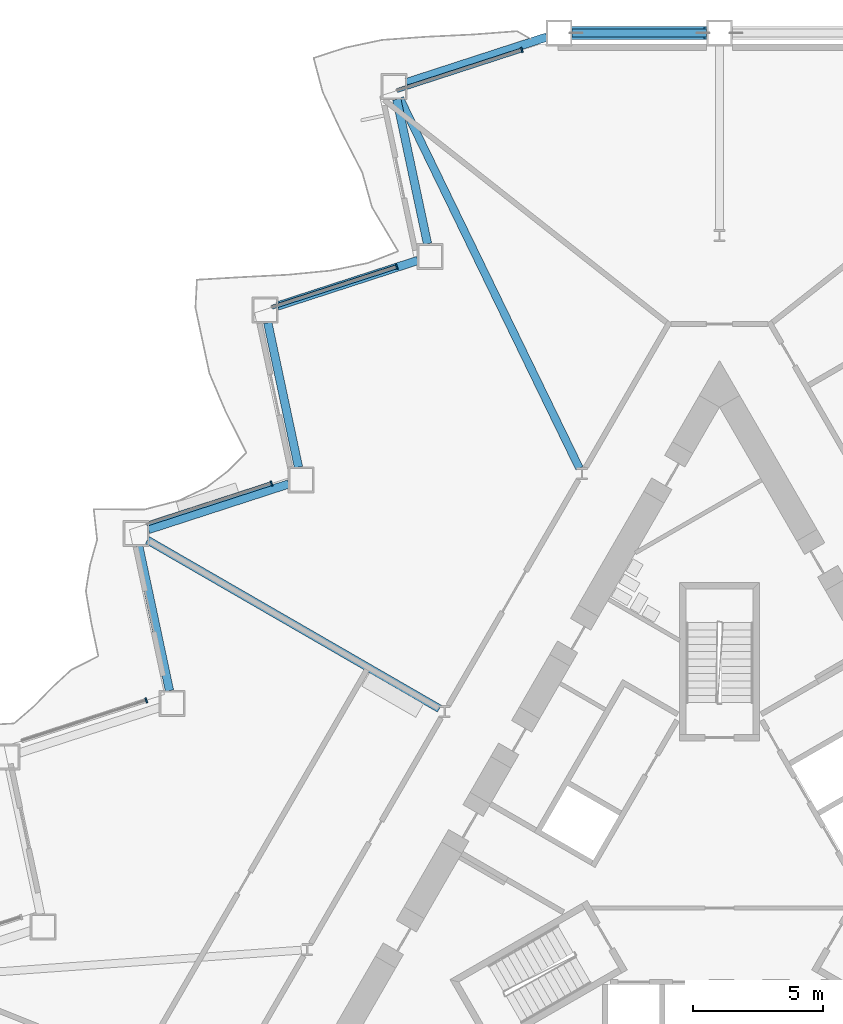
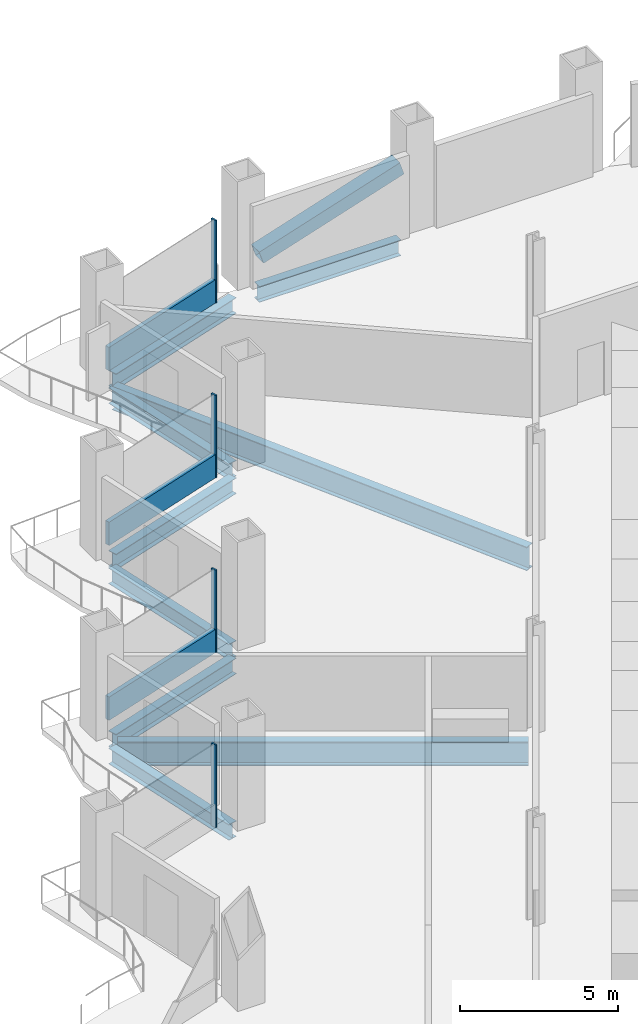
# One storey, part 6 of 20: 9 beams, 8 members, 4 elements without a shape of their own.
"""IFC4 building model written with IfcOpenShell, lengths in metres."""

from ifc_helpers import new_model, si_unit, direction, frame, origin, origin_2d, place, context, subcontext, project, spatial, rectangle, hollow_rectangle, i_section, extrude, material, layer, layer_set, material_profile, profile_set, type_object, element, aggregate, save


model = new_model("IFC4")

# Units and contexts
model_context = context("Model", 3, precision=1e-05, world=origin(), true_north=direction((0.0, 1.0)))
body_context = subcontext(model_context, "Body", "Model", "MODEL_VIEW")
ifc_project = project(units=[si_unit("LENGTHUNIT", "METRE"), si_unit("AREAUNIT", "SQUARE_METRE"), si_unit("VOLUMEUNIT", "CUBIC_METRE"), si_unit("PLANEANGLEUNIT", "RADIAN"), si_unit("MASSUNIT", "GRAM", prefix="KILO")], contexts=[model_context])

# Site, building, storey
site_placement = place(None, origin())
site = spatial("IfcSite", under=ifc_project, at=site_placement, CompositionType="ELEMENT")
building_placement = place(site_placement, origin())
building = spatial("IfcBuilding", under=site, at=building_placement, Name="Cormorant Prow Tower", CompositionType="ELEMENT")
storey_placement = place(building_placement, frame((0.0, 0.0, 38.39990234375)))
storey = spatial("IfcBuildingStorey", under=building, at=storey_placement, Name="L07", CompositionType="ELEMENT", Elevation=38.39990234375)

# Member
ifc_material_1 = material(Name="Structural steel ASTM A500 Gr C", Category="steel")
ifc_material_profile_1 = material_profile(ifc_material_1, hollow_rectangle(XDim=0.508056640625, YDim=0.508056640625, WallThickness=0.014892578125, at=origin_2d()), Name="HSS20x20x5/8")
ifc_profile_set_1 = profile_set([ifc_material_profile_1], Name="Structural steel ASTM A500 Gr C")
member_type_1 = type_object("IfcMemberType", Name="Chamfer brace HSS20x20x5/8", PredefinedType="BRACE", material=ifc_profile_set_1)
member_1_placement = place(storey_placement, frame((-5.65087890625, 32.233642578125, 0.767333984375), z_axis=(0.951761092368, 0.0, 0.306840061033), x_axis=(0.0, 1.0, 0.0)))
element("IfcMember", 1, at=member_1_placement, inside=storey, type_object=member_type_1, Name="Chamfer brace BR1 at N01 L07", PredefinedType="BRACE", context=body_context, shape_type="SweptSolid", body=[
    extrude(hollow_rectangle(XDim=0.508056640625, YDim=0.508056640625, WallThickness=0.014892578125, at=origin_2d()), origin(), (0.0, 0.0, 1.0), 5.39208984375),
])

# Curtain wall, member
ifc_material_2 = material(Name="Aluminium 6063-T6", Category="aluminium")
ifc_layer = layer(ifc_material_2, 0.199951171875)
ifc_layer_set = layer_set([ifc_layer], Name="Aluminium 6063-T6")
curtain_wall_type = type_object("IfcCurtainWallType", Name="Office unitised curtain wall 200", PredefinedType="NOTDEFINED", material=ifc_layer_set)
curtain_wall_1_placement = place(storey_placement, origin())
curtain_wall_1 = element("IfcCurtainWall", 2, at=curtain_wall_1_placement, inside=storey, type_object=curtain_wall_type, Name="Office curtain wall WNW00", PredefinedType="NOTDEFINED")
ifc_material_3 = material(Name="Aluminium 6063-T6", Category="aluminium")
ifc_material_profile_2 = material_profile(ifc_material_3, rectangle(XDim=0.199951171875, YDim=0.06005859375, at=origin_2d()), Name="Office mullion 60x200")
ifc_profile_set_2 = profile_set([ifc_material_profile_2], Name="Aluminium 6063-T6")
member_type_2 = type_object("IfcMemberType", Name="Office mullion 60x200", PredefinedType="MULLION", material=ifc_profile_set_2)
member_2_placement = place(storey_placement, frame((-7.609375, 31.578369140625, 0.0), z_axis=(0.0, 0.0, 1.0), x_axis=(0.30901688663, -0.951056551303, 0.0)))
member_2 = element("IfcMember", 3, at=member_2_placement, type_object=member_type_2, Name="Office mullion WNW00", PredefinedType="MULLION", context=body_context, shape_type="SweptSolid", body=[
    extrude(rectangle(XDim=0.199951171875, YDim=0.06005859375, at=origin_2d()), origin(), (0.0, 0.0, 1.0), 3.18896484375),
])

curtain_wall_2_placement = place(storey_placement, origin())
curtain_wall_2 = element("IfcCurtainWall", 4, at=curtain_wall_2_placement, inside=storey, type_object=curtain_wall_type, Name="Office curtain wall WNW02", PredefinedType="NOTDEFINED")
member_3_placement = place(storey_placement, frame((-12.427001953125, 23.234130859375, 0.0), z_axis=(0.0, 0.0, 1.0), x_axis=(0.309017026162, -0.951056505967, 0.0)))
member_3 = element("IfcMember", 5, at=member_3_placement, type_object=member_type_2, Name="Office mullion WNW02", PredefinedType="MULLION", context=body_context, shape_type="SweptSolid", body=[
    extrude(rectangle(XDim=0.199951171875, YDim=0.06005859375, at=origin_2d()), origin(), (0.0, 0.0, 1.0), 3.18896484375),
])

curtain_wall_3_placement = place(storey_placement, origin())
curtain_wall_3 = element("IfcCurtainWall", 6, at=curtain_wall_3_placement, inside=storey, type_object=curtain_wall_type, Name="Office curtain wall WNW04", PredefinedType="NOTDEFINED")
member_4_placement = place(storey_placement, frame((-17.244384765625, 14.889892578125, 0.0), z_axis=(0.0, 0.0, 1.0), x_axis=(0.309017026162, -0.951056505967, 0.0)))
member_4 = element("IfcMember", 7, at=member_4_placement, type_object=member_type_2, Name="Office mullion WNW04", PredefinedType="MULLION", context=body_context, shape_type="SweptSolid", body=[
    extrude(rectangle(XDim=0.199951171875, YDim=0.06005859375, at=origin_2d()), origin(), (0.0, 0.0, 1.0), 3.18896484375),
])

curtain_wall_4_placement = place(storey_placement, origin())
curtain_wall_4 = element("IfcCurtainWall", 8, at=curtain_wall_4_placement, inside=storey, type_object=curtain_wall_type, Name="Office curtain wall WNW06", PredefinedType="NOTDEFINED")
member_5_placement = place(storey_placement, frame((-22.06201171875, 6.545654296875, 0.0), z_axis=(0.0, 0.0, 1.0), x_axis=(0.309016931979, -0.951056536569, 0.0)))
member_5 = element("IfcMember", 9, at=member_5_placement, type_object=member_type_2, Name="Office mullion WNW06", PredefinedType="MULLION", context=body_context, shape_type="SweptSolid", body=[
    extrude(rectangle(XDim=0.199951171875, YDim=0.06005859375, at=origin_2d()), origin(), (0.0, 0.0, 1.0), 3.18896484375),
])
aggregate(curtain_wall_4, [member_5])

# Member
ifc_material_4 = material(Name="Terracotta", Category="masonry")
ifc_material_profile_3 = material_profile(ifc_material_4, rectangle(XDim=0.159912109375, YDim=0.89990234375, at=origin_2d()), Name="Office terracotta spandrel rail 160x900")
ifc_profile_set_3 = profile_set([ifc_material_profile_3], Name="Terracotta")
member_type_3 = type_object("IfcMemberType", Name="Office terracotta spandrel rail 160x900", PredefinedType="USERDEFINED", material=ifc_profile_set_3)
member_6_placement = place(storey_placement, frame((-7.637939453125, 31.569091796875, 0.4501953125), z_axis=(-0.951064821809, -0.308991431464, 0.0), x_axis=(0.308991431464, -0.951064821809, 0.0)))
member_6 = element("IfcMember", 10, at=member_6_placement, type_object=member_type_3, Name="Office spandrel rail WNW00", ObjectType="TRANSOM", PredefinedType="USERDEFINED", context=body_context, shape_type="SweptSolid", body=[
    extrude(rectangle(XDim=0.159912109375, YDim=0.89990234375, at=origin_2d()), origin(), (0.0, 0.0, 1.0), 5.016357421875),
])

aggregate(curtain_wall_1, [member_2, member_6])

member_7_placement = place(storey_placement, frame((-12.455322265625, 23.224853515625, 0.4501953125), z_axis=(-0.951055166493, -0.309021148607, 0.0), x_axis=(0.309021148607, -0.951055166493, 0.0)))
member_7 = element("IfcMember", 11, at=member_7_placement, type_object=member_type_3, Name="Office spandrel rail WNW02", ObjectType="TRANSOM", PredefinedType="USERDEFINED", context=body_context, shape_type="SweptSolid", body=[
    extrude(rectangle(XDim=0.159912109375, YDim=0.89990234375, at=origin_2d()), origin(), (0.0, 0.0, 1.0), 5.016845703125),
])

aggregate(curtain_wall_2, [member_3, member_7])

member_8_placement = place(storey_placement, frame((-17.27294921875, 14.880615234375, 0.4501953125), z_axis=(-0.951055166493, -0.309021148607, 0.0), x_axis=(0.309021148607, -0.951055166493, 0.0)))
member_8 = element("IfcMember", 12, at=member_8_placement, type_object=member_type_3, Name="Office spandrel rail WNW04", ObjectType="TRANSOM", PredefinedType="USERDEFINED", context=body_context, shape_type="SweptSolid", body=[
    extrude(rectangle(XDim=0.159912109375, YDim=0.89990234375, at=origin_2d()), origin(), (0.0, 0.0, 1.0), 5.016845703125),
])

aggregate(curtain_wall_3, [member_4, member_8])

# Beams
ifc_material_5 = material(Name="Structural steel ASTM A992 Gr 50", Category="steel")
ifc_material_profile_4 = material_profile(ifc_material_5, i_section(OverallWidth=0.3046875, OverallDepth=0.914794921875, WebThickness=0.0166015625, FlangeThickness=0.02587890625, at=origin_2d()), Name="W36x160")
ifc_profile_set_4 = profile_set([ifc_material_profile_4], Name="Structural steel ASTM A992 Gr 50")
beam_type_1 = type_object("IfcBeamType", Name="Radial floor beam W36x160", PredefinedType="BEAM", material=ifc_profile_set_4)
beam_1_placement = place(storey_placement, frame((-5.390625, 15.4775390625, -0.857177734375), z_axis=(-0.436839436813, 0.899539496879, 0.0), x_axis=(-0.899539496879, -0.436839436813, 0.0)))
element("IfcBeam", 13, at=beam_1_placement, inside=storey, type_object=beam_type_1, Name="Radial floor beam FB1 2 L07", PredefinedType="BEAM", context=body_context, shape_type="SweptSolid", body=[
    extrude(i_section(OverallWidth=0.3046875, OverallDepth=0.914794921875, WebThickness=0.0166015625, FlangeThickness=0.02587890625, at=origin_2d()), origin(), (0.0, 0.0, 1.0), 15.83203125),
])
beam_2_placement = place(storey_placement, frame((-10.779541015625, 6.2236328125, -0.857177734375), z_axis=(-0.866030278318, 0.499991556966, 0.0), x_axis=(-0.499991556966, -0.866030278318, 0.0)))
element("IfcBeam", 14, at=beam_2_placement, inside=storey, type_object=beam_type_1, Name="Radial floor beam FB1 3 L07", PredefinedType="BEAM", context=body_context, shape_type="SweptSolid", body=[
    extrude(i_section(OverallWidth=0.3046875, OverallDepth=0.914794921875, WebThickness=0.0166015625, FlangeThickness=0.02587890625, at=origin_2d()), origin(), (0.0, 0.0, 1.0), 12.984130859375),
])
ifc_material_6 = material(Name="Structural steel ASTM A992 Gr 50", Category="steel")
ifc_material_profile_5 = material_profile(ifc_material_6, i_section(OverallWidth=0.32373046875, OverallDepth=0.611083984375, WebThickness=0.0126953125, FlangeThickness=0.01904296875, at=origin_2d()), Name="W24x104")
ifc_profile_set_5 = profile_set([ifc_material_profile_5], Name="Structural steel ASTM A992 Gr 50")
beam_type_2 = type_object("IfcBeamType", Name="Spandrel beam W24x104", PredefinedType="SPANDREL", material=ifc_profile_set_5)
beam_3_placement = place(storey_placement, frame((-0.5, 32.233642578125, -0.70556640625), z_axis=(-1.0, 0.0, 0.0), x_axis=(0.0, -1.0, 0.0)))
element("IfcBeam", 15, at=beam_3_placement, inside=storey, type_object=beam_type_2, Name="Spandrel beam SB1 N01-WNW00 L07", PredefinedType="SPANDREL", context=body_context, shape_type="SweptSolid", body=[
    extrude(i_section(OverallWidth=0.32373046875, OverallDepth=0.611083984375, WebThickness=0.0126953125, FlangeThickness=0.01904296875, at=origin_2d()), origin(), (0.0, 0.0, 1.0), 5.169677734375),
])
beam_4_placement = place(storey_placement, frame((-6.645263671875, 32.0791015625, -0.70556640625), z_axis=(-0.951061849722, -0.309000579292, 0.0), x_axis=(0.309000579292, -0.951061849722, 0.0)))
element("IfcBeam", 16, at=beam_4_placement, inside=storey, type_object=beam_type_2, Name="Spandrel beam SB1 WNW00-WNW01 L07", PredefinedType="SPANDREL", context=body_context, shape_type="SweptSolid", body=[
    extrude(i_section(OverallWidth=0.32373046875, OverallDepth=0.611083984375, WebThickness=0.0126953125, FlangeThickness=0.01904296875, at=origin_2d()), origin(), (0.0, 0.0, 1.0), 5.682373046875),
])
beam_5_placement = place(storey_placement, frame((-12.421142578125, 29.6796875, -0.70556640625), z_axis=(0.207900376723, -0.97815000555, 0.0), x_axis=(0.97815000555, 0.207900376723, 0.0)))
element("IfcBeam", 17, at=beam_5_placement, inside=storey, type_object=beam_type_2, Name="Spandrel beam SB1 WNW01-WNW02 L07", PredefinedType="SPANDREL", context=body_context, shape_type="SweptSolid", body=[
    extrude(i_section(OverallWidth=0.32373046875, OverallDepth=0.611083984375, WebThickness=0.0126953125, FlangeThickness=0.01904296875, at=origin_2d()), origin(), (0.0, 0.0, 1.0), 5.6826171875),
])
beam_6_placement = place(storey_placement, frame((-11.611328125, 23.477783203125, -0.70556640625), z_axis=(-0.951049222751, -0.309039440696, 0.0), x_axis=(0.309039440696, -0.951049222751, 0.0)))
element("IfcBeam", 18, at=beam_6_placement, inside=storey, type_object=beam_type_2, Name="Spandrel beam SB1 WNW02-WNW03 L07", PredefinedType="SPANDREL", context=body_context, shape_type="SweptSolid", body=[
    extrude(i_section(OverallWidth=0.32373046875, OverallDepth=0.611083984375, WebThickness=0.0126953125, FlangeThickness=0.01904296875, at=origin_2d()), origin(), (0.0, 0.0, 1.0), 5.682373046875),
])
beam_7_placement = place(storey_placement, frame((-17.38720703125, 21.078125, -0.70556640625), z_axis=(0.207900376723, -0.97815000555, 0.0), x_axis=(0.97815000555, 0.207900376723, 0.0)))
element("IfcBeam", 19, at=beam_7_placement, inside=storey, type_object=beam_type_2, Name="Spandrel beam SB1 WNW03-WNW04 L07", PredefinedType="SPANDREL", context=body_context, shape_type="SweptSolid", body=[
    extrude(i_section(OverallWidth=0.32373046875, OverallDepth=0.611083984375, WebThickness=0.0126953125, FlangeThickness=0.01904296875, at=origin_2d()), origin(), (0.0, 0.0, 1.0), 5.6826171875),
])
beam_8_placement = place(storey_placement, frame((-16.577392578125, 14.876220703125, -0.70556640625), z_axis=(-0.951049222751, -0.309039440696, 0.0), x_axis=(0.309039440696, -0.951049222751, 0.0)))
element("IfcBeam", 20, at=beam_8_placement, inside=storey, type_object=beam_type_2, Name="Spandrel beam SB1 WNW04-WNW05 L07", PredefinedType="SPANDREL", context=body_context, shape_type="SweptSolid", body=[
    extrude(i_section(OverallWidth=0.32373046875, OverallDepth=0.611083984375, WebThickness=0.0126953125, FlangeThickness=0.01904296875, at=origin_2d()), origin(), (0.0, 0.0, 1.0), 5.682373046875),
])
beam_9_placement = place(storey_placement, frame((-22.353271484375, 12.4765625, -0.70556640625), z_axis=(0.207900376723, -0.97815000555, 0.0), x_axis=(0.97815000555, 0.207900376723, 0.0)))
element("IfcBeam", 21, at=beam_9_placement, inside=storey, type_object=beam_type_2, Name="Spandrel beam SB1 WNW05-WNW06 L07", PredefinedType="SPANDREL", context=body_context, shape_type="SweptSolid", body=[
    extrude(i_section(OverallWidth=0.32373046875, OverallDepth=0.611083984375, WebThickness=0.0126953125, FlangeThickness=0.01904296875, at=origin_2d()), origin(), (0.0, 0.0, 1.0), 5.6826171875),
])

save(model, "model.ifc")
